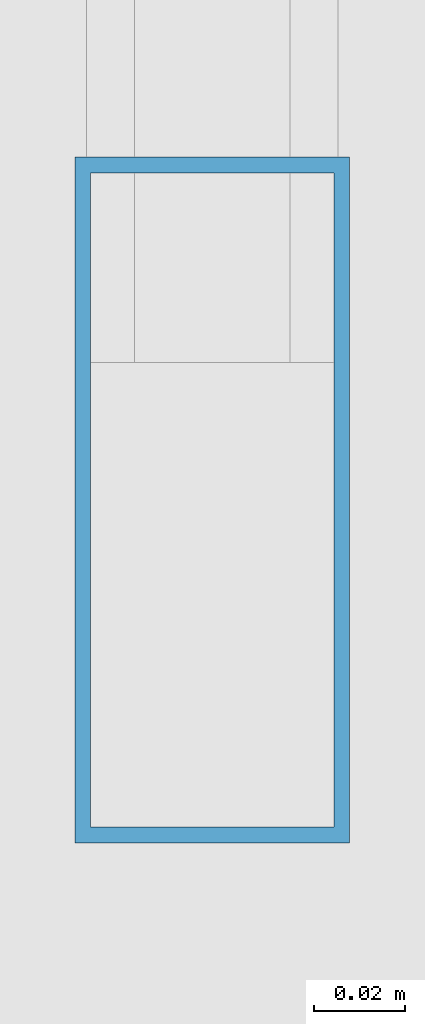
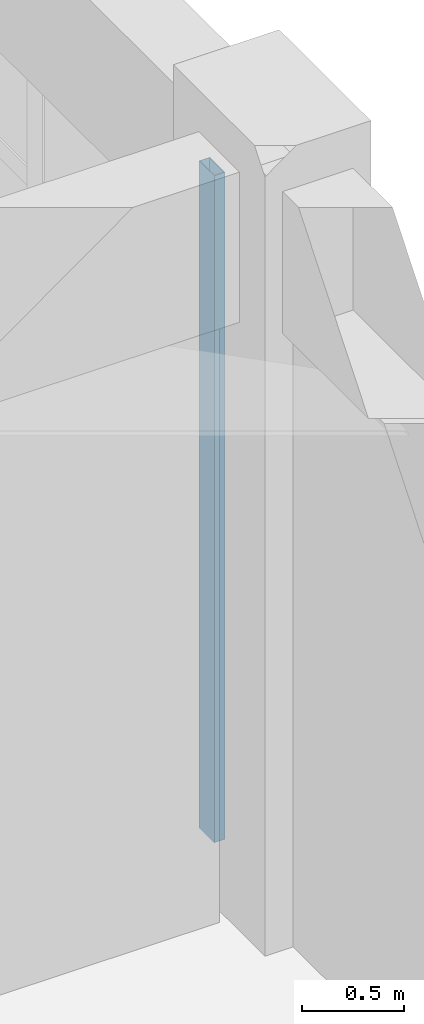
# One storey, part 28 of 63: 1 member, 1 element without a shape of its own.
"""IFC4 building model written with IfcOpenShell, lengths in metres."""

from ifc_helpers import new_model, si_unit, direction, frame, origin, origin_2d, place, context, subcontext, project, spatial, hollow_rectangle, extrude, material, layer, layer_set, material_profile, profile_set, type_object, element, aggregate, save


model = new_model("IFC4")

# Units and contexts
model_context = context("Model", 3, precision=1e-05, world=origin(), true_north=direction((0.0, 1.0)))
body_context = subcontext(model_context, "Body", "Model", "MODEL_VIEW")
ifc_project = project(units=[si_unit("LENGTHUNIT", "METRE"), si_unit("AREAUNIT", "SQUARE_METRE"), si_unit("VOLUMEUNIT", "CUBIC_METRE"), si_unit("PLANEANGLEUNIT", "RADIAN"), si_unit("MASSUNIT", "GRAM", prefix="KILO")], contexts=[model_context])

# Site, building, storey
site_placement = place(None, origin())
site = spatial("IfcSite", under=ifc_project, at=site_placement, CompositionType="ELEMENT")
building_placement = place(site_placement, origin())
building = spatial("IfcBuilding", under=site, at=building_placement, Name="Canggui Botanical Conservatory", CompositionType="ELEMENT")
storey_placement = place(building_placement, frame((0.0, 0.0, 10.199951171875)))
storey = spatial("IfcBuildingStorey", under=building, at=storey_placement, Name="L03", CompositionType="ELEMENT", Elevation=10.199951171875)

# Curtain wall, member
ifc_material = material(Name="Thermally Broken Aluminium", Category="aluminium")
ifc_layer = layer(ifc_material, 0.14990234375, Name="Thermally Broken Aluminium", Category="aluminium")
ifc_layer_set = layer_set([ifc_layer], Name="Thermally Broken Aluminium")
curtain_wall_type = type_object("IfcCurtainWallType", Name="CW-UNIT-C", PredefinedType="USERDEFINED", material=ifc_layer_set)
curtain_wall_placement = place(storey_placement, origin())
curtain_wall = element("IfcCurtainWall", 1, at=curtain_wall_placement, inside=storey, type_object=curtain_wall_type, Name="Facade Curtain Wall CW-TWR-L03-25", ObjectType="UNITISED CURTAIN WALL", PredefinedType="USERDEFINED")
ifc_material_profile = material_profile(ifc_material, hollow_rectangle(XDim=0.06005859375, YDim=0.14990234375, WallThickness=0.00341796875, at=origin_2d()), Name="CWM 60x150x3.5")
ifc_profile_set = profile_set([ifc_material_profile], Name="Thermally Broken Aluminium")
member_type = type_object("IfcMemberType", Name="CWM-03", PredefinedType="MULLION", material=ifc_profile_set)
member_placement = place(storey_placement, frame((177.39990234375, 34.590087890625, 0.0), z_axis=(0.0, 0.0, 1.0), x_axis=(1.0, 0.0, 0.0)))
member = element("IfcMember", 2, at=member_placement, type_object=member_type, Name="CW-03 mullion 5", PredefinedType="MULLION", context=body_context, shape_type="SweptSolid", body=[
    extrude(hollow_rectangle(XDim=0.06005859375, YDim=0.14990234375, WallThickness=0.00341796875, at=origin_2d()), origin(), (0.0, 0.0, 1.0), 4.0),
])
aggregate(curtain_wall, [member])

save(model, "model.ifc")
